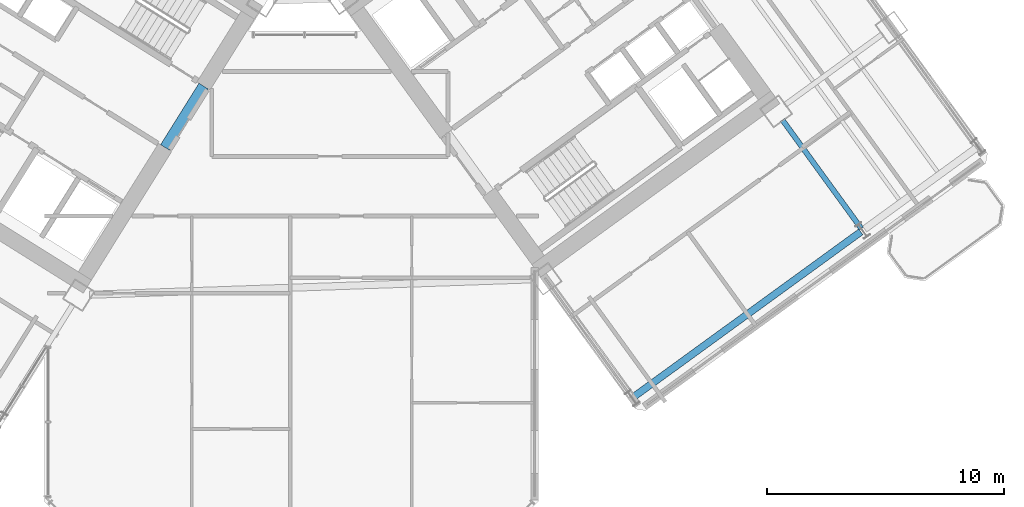
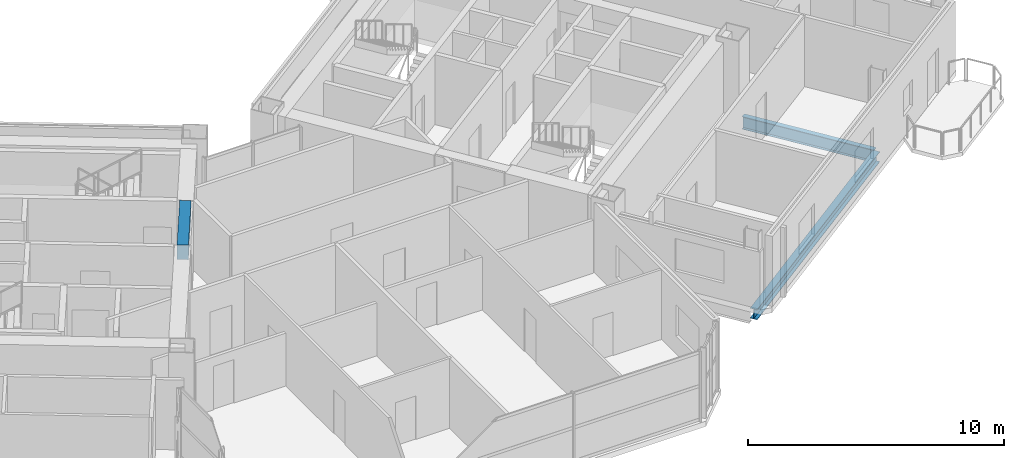
# One storey, part 10 of 28: 3 beams.
"""IFC4 building model written with IfcOpenShell, lengths in metres."""

from ifc_helpers import new_model, si_unit, direction, frame, origin, origin_2d, place, context, subcontext, project, spatial, rectangle, i_section, extrude, source, transform, mapped, material, material_profile, profile_set, type_object, element, save


model = new_model("IFC4")

# Units and contexts
model_context = context("Model", 3, precision=1e-05, world=origin(), true_north=direction((0.0, 1.0)))
body_context = subcontext(model_context, "Body", "Model", "MODEL_VIEW")
ifc_project = project(units=[si_unit("LENGTHUNIT", "METRE"), si_unit("AREAUNIT", "SQUARE_METRE"), si_unit("VOLUMEUNIT", "CUBIC_METRE"), si_unit("PLANEANGLEUNIT", "RADIAN"), si_unit("MASSUNIT", "GRAM", prefix="KILO")], contexts=[model_context])

# Site, building, storey
site_placement = place(None, origin())
site = spatial("IfcSite", under=ifc_project, at=site_placement, CompositionType="ELEMENT")
building_placement = place(site_placement, origin())
building = spatial("IfcBuilding", under=site, at=building_placement, Name="Tlacorven Tower", CompositionType="ELEMENT")
storey_placement = place(building_placement, frame((0.0, 0.0, 34.800048828125)))
storey = spatial("IfcBuildingStorey", under=building, at=storey_placement, Name="L08", CompositionType="ELEMENT", Elevation=34.800048828125)

# Beams
ifc_material_1 = material(Name="Concrete C60/75", Category="concrete")
ifc_material_profile_1 = material_profile(ifc_material_1, rectangle(XDim=0.449951171875, YDim=0.699951171875, at=origin_2d()), Name="RC 450X700")
ifc_profile_set_1 = profile_set([ifc_material_profile_1], Name="Concrete C60/75")
beam_type_1 = type_object("IfcBeamType", Name="BM-LNT-700", PredefinedType="LINTEL", material=ifc_profile_set_1)
shared_shape_1 = source(origin(), body_context, "Body", "SweptSolid", [
    extrude(rectangle(XDim=0.449951171875, YDim=0.699951171875, at=origin_2d()), origin(), (0.0, 0.0, 1.0), 3.050048828125),
])
beam_1_placement = place(storey_placement, frame((38.2998046875, 20.890625, 3.0), z_axis=(-0.529984549635, -0.848007297815, 0.0), x_axis=(0.848007297815, -0.529984549635, 0.0)))
element("IfcBeam", 1, at=beam_1_placement, inside=storey, type_object=beam_type_1, Name="L08 W core coupling lintel beam E1", PredefinedType="LINTEL", context=body_context, shape_type="MappedRepresentation", body=[
    mapped(shared_shape_1, transform((0.0, 0.0, 0.0), scale=1.0)),
])
ifc_material_2 = material(Name="Steel S355J2", Category="steel")
ifc_material_profile_2 = material_profile(ifc_material_2, i_section(OverallWidth=0.219970703125, OverallDepth=0.60009765625, WebThickness=0.011962890625, FlangeThickness=0.01904296875, at=origin_2d()), Name="IPE 600")
ifc_profile_set_2 = profile_set([ifc_material_profile_2], Name="Steel S355J2")
beam_type_2 = type_object("IfcBeamType", Name="BM-TWR-600", PredefinedType="BEAM", material=ifc_profile_set_2)
shared_shape_2 = source(origin(), body_context, "Body", "SweptSolid", [
    extrude(i_section(OverallWidth=0.219970703125, OverallDepth=0.60009765625, WebThickness=0.011962890625, FlangeThickness=0.01904296875, at=origin_2d()), origin(), (0.0, 0.0, 1.0), 5.64990234375),
])
beam_2_placement = place(storey_placement, frame((65.9990234375, 14.891845703125, -0.550048828125), z_axis=(-0.587755393186, 0.809038687444, 0.0), x_axis=(-0.809038687444, -0.587755393186, 0.0)))
element("IfcBeam", 2, at=beam_2_placement, inside=storey, type_object=beam_type_2, Name="L08 beam BM-L08-ET3-1", PredefinedType="BEAM", context=body_context, shape_type="MappedRepresentation", body=[
    mapped(shared_shape_2, transform((0.0, 0.0, 0.0), scale=1.0)),
])
ifc_material_profile_3 = material_profile(ifc_material_2, i_section(OverallWidth=0.300048828125, OverallDepth=0.489990234375, WebThickness=0.011962890625, FlangeThickness=0.02294921875, at=origin_2d()), Name="HEA 500")
ifc_profile_set_3 = profile_set([ifc_material_profile_3], Name="Steel S355J2")
beam_type_3 = type_object("IfcBeamType", Name="BM-SPN-500", PredefinedType="SPANDREL", material=ifc_profile_set_3)
shared_shape_3 = source(origin(), body_context, "Body", "SweptSolid", [
    extrude(i_section(OverallWidth=0.300048828125, OverallDepth=0.489990234375, WebThickness=0.011962890625, FlangeThickness=0.02294921875, at=origin_2d()), origin(), (0.0, 0.0, 1.0), 11.800048828125),
])
beam_3_placement = place(storey_placement, frame((56.4306640625, 7.816162109375, -0.4951171875), z_axis=(0.80900977213, 0.587795192732, 0.0), x_axis=(-0.587795192732, 0.80900977213, 0.0)))
element("IfcBeam", 3, at=beam_3_placement, inside=storey, type_object=beam_type_3, Name="L08 beam BM-L08-EL1-1", PredefinedType="SPANDREL", context=body_context, shape_type="MappedRepresentation", body=[
    mapped(shared_shape_3, transform((0.0, 0.0, 0.0), scale=1.0)),
])

save(model, "model.ifc")
